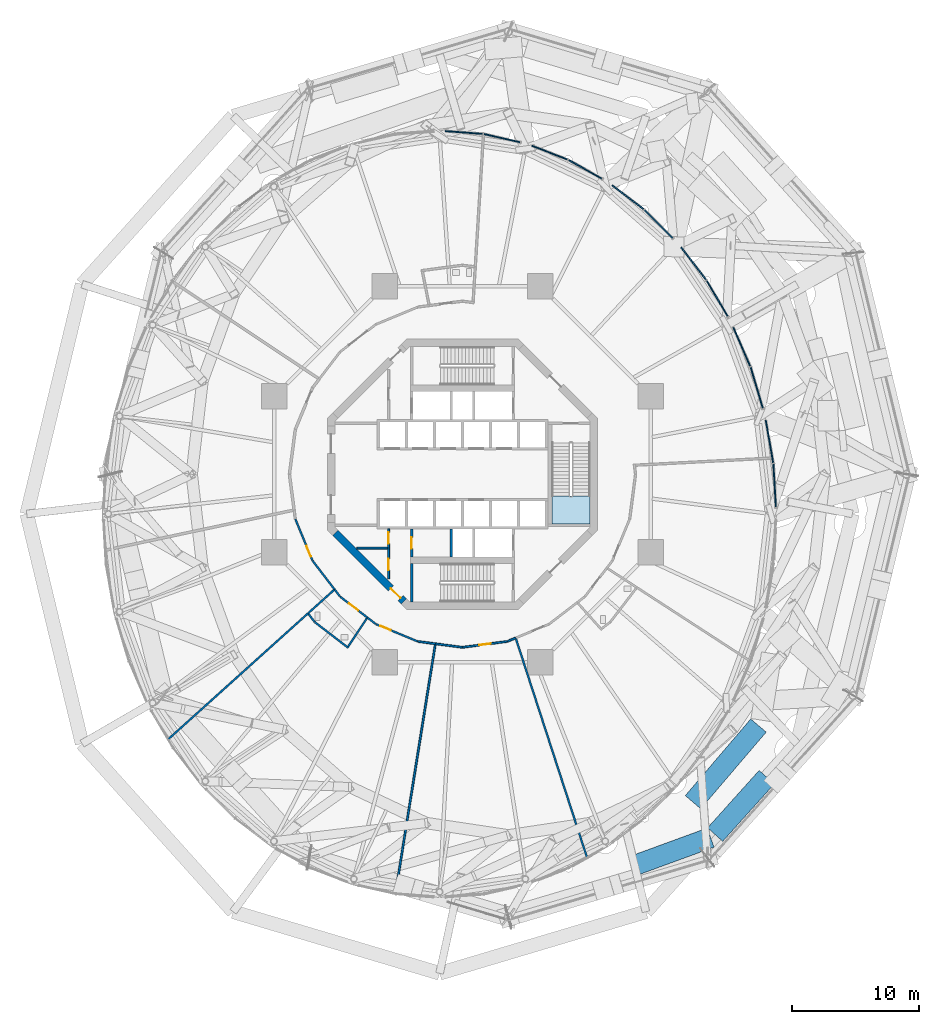
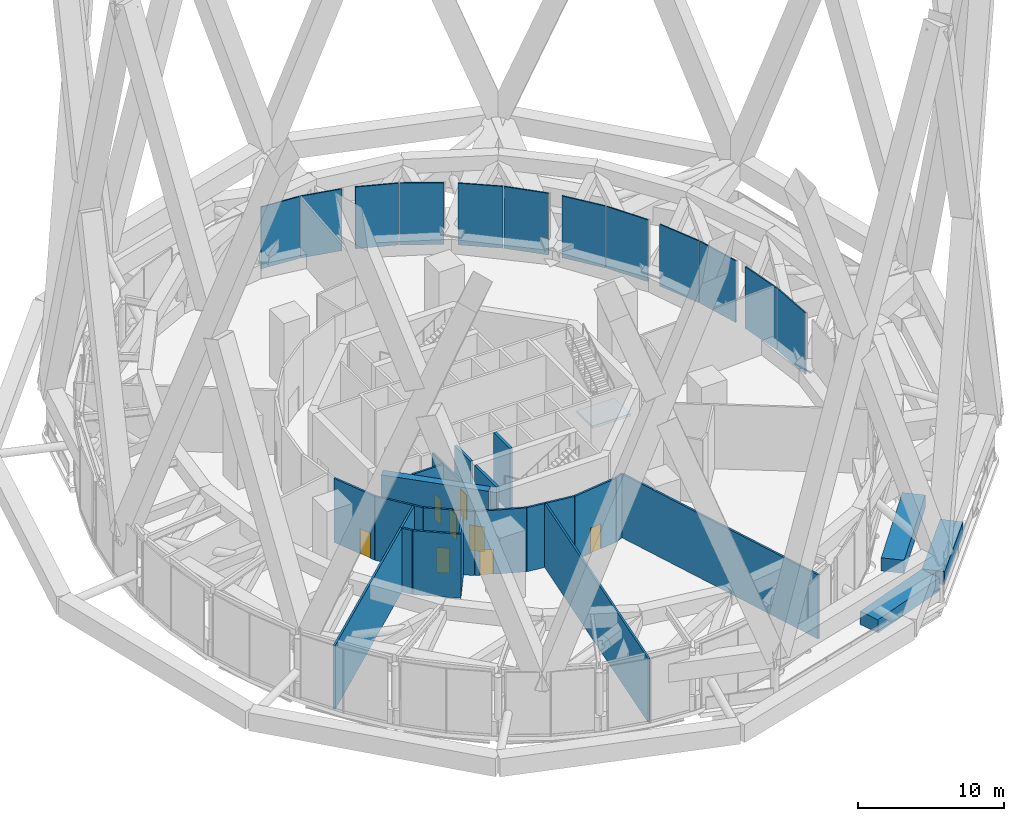
# One storey, part 37 of 49: 26 walls, 12 plates, 8 doors, 1 slab, 8 openings, 13 elements without a shape of their own.
"""IFC4 building model written with IfcOpenShell, lengths in metres."""

from ifc_helpers import new_model, si_unit, direction, frame, frame_2d, origin, origin_2d, place, context, subcontext, project, spatial, polyline, rectangle, outline, extrude, material, layer, layer_set, type_object, element, fill, aggregate, save


model = new_model("IFC4")

# Units and contexts
model_context = context("Model", 3, precision=1e-05, world=origin(), true_north=direction((0.0, 1.0)))
body_context = subcontext(model_context, "Body", "Model", "MODEL_VIEW")
ifc_project = project(units=[si_unit("LENGTHUNIT", "METRE"), si_unit("AREAUNIT", "SQUARE_METRE"), si_unit("VOLUMEUNIT", "CUBIC_METRE"), si_unit("PLANEANGLEUNIT", "RADIAN"), si_unit("MASSUNIT", "GRAM", prefix="KILO")], contexts=[model_context])

# Site, building, storey
site_placement = place(None, origin())
site = spatial("IfcSite", under=ifc_project, at=site_placement, CompositionType="ELEMENT")
building_placement = place(site_placement, origin())
building = spatial("IfcBuilding", under=site, at=building_placement, Name="Nagisa Residences", CompositionType="ELEMENT")
storey_placement = place(building_placement, frame((0.0, 0.0, 160.300048828125)))
storey = spatial("IfcBuildingStorey", under=building, at=storey_placement, Name="L40", CompositionType="ELEMENT", Elevation=160.300048828125)

# Curtain wall, plate
ifc_material_1 = material(Name="Aluminium curtain wall system", Category="aluminium")
ifc_layer_1 = layer(ifc_material_1, 0.159912109375)
ifc_layer_set_1 = layer_set([ifc_layer_1], Name="CW2 CURTAIN WALL")
curtain_wall_type = type_object("IfcCurtainWallType", Name="CW2 CURTAIN WALL", PredefinedType="NOTDEFINED", material=ifc_layer_set_1)
curtain_wall_1_placement = place(storey_placement, origin())
curtain_wall_1 = element("IfcCurtainWall", 1, at=curtain_wall_1_placement, inside=storey, type_object=curtain_wall_type, Name="cw:CW2:L40:00", PredefinedType="NOTDEFINED")
ifc_material_2 = material(Name="Insulated metal spandrel panel")
ifc_layer_2 = layer(ifc_material_2, 0.10009765625)
ifc_layer_set_2 = layer_set([ifc_layer_2], Name="CW2 SPANDREL PANEL")
plate_type = type_object("IfcPlateType", Name="CW2 SPANDREL PANEL", PredefinedType="SHEET", material=ifc_layer_set_2)
plate_1_placement = place(storey_placement, frame((24.5263671875, -0.88720703125, 0.18017578125), z_axis=(0.0, 0.0, 1.0), x_axis=(-0.057503492216, 0.998345305184, 0.0)))
plate_1 = element("IfcPlate", 2, at=plate_1_placement, type_object=plate_type, Name="CW2 spandrel panel", PredefinedType="SHEET", context=body_context, shape_type="SweptSolid", body=[
    extrude(rectangle(XDim=3.417724609375, YDim=0.10009765625, at=origin_2d()), origin(), (0.0, 0.0, 1.0), 5.159912109375),
])
aggregate(curtain_wall_1, [plate_1])

curtain_wall_2_placement = place(storey_placement, origin())
curtain_wall_2 = element("IfcCurtainWall", 3, at=curtain_wall_2_placement, inside=storey, type_object=curtain_wall_type, Name="cw:CW2:L40:01", PredefinedType="NOTDEFINED")
plate_2_placement = place(storey_placement, frame((24.12255859375, 2.564453125, 0.18017578125), z_axis=(0.0, 0.0, 1.0), x_axis=(-0.172190868898, 0.985063604377, 0.0)))
plate_2 = element("IfcPlate", 4, at=plate_2_placement, type_object=plate_type, Name="CW2 spandrel panel", PredefinedType="SHEET", context=body_context, shape_type="SweptSolid", body=[
    extrude(rectangle(XDim=3.402587890625, YDim=0.10009765625, at=origin_2d()), origin(), (0.0, 0.0, 1.0), 5.159912109375),
])
aggregate(curtain_wall_2, [plate_2])

curtain_wall_3_placement = place(storey_placement, origin())
curtain_wall_3 = element("IfcCurtainWall", 5, at=curtain_wall_3_placement, inside=storey, type_object=curtain_wall_type, Name="cw:CW2:L40:02", PredefinedType="NOTDEFINED")
plate_3_placement = place(storey_placement, frame((23.12060546875, 6.798583984375, 0.18017578125), z_axis=(0.0, 0.0, 1.0), x_axis=(-0.285860274038, 0.958271310082, 0.0)))
plate_3 = element("IfcPlate", 6, at=plate_3_placement, type_object=plate_type, Name="CW2 spandrel panel", PredefinedType="SHEET", context=body_context, shape_type="SweptSolid", body=[
    extrude(rectangle(XDim=3.373046875, YDim=0.10009765625, at=origin_2d()), origin(), (0.0, 0.0, 1.0), 5.159912109375),
])
aggregate(curtain_wall_3, [plate_3])

curtain_wall_4_placement = place(storey_placement, origin())
curtain_wall_4 = element("IfcCurtainWall", 7, at=curtain_wall_4_placement, inside=storey, type_object=curtain_wall_type, Name="cw:CW2:L40:03", PredefinedType="NOTDEFINED")
plate_4_placement = place(storey_placement, frame((21.94775390625, 10.007080078125, 0.18017578125), z_axis=(0.0, 0.0, 1.0), x_axis=(-0.397635934147, 0.917543276295, 0.0)))
plate_4 = element("IfcPlate", 8, at=plate_4_placement, type_object=plate_type, Name="CW2 spandrel panel", PredefinedType="SHEET", context=body_context, shape_type="SweptSolid", body=[
    extrude(rectangle(XDim=3.330810546875, YDim=0.10009765625, at=origin_2d()), origin(), (0.0, 0.0, 1.0), 5.159912109375),
])
aggregate(curtain_wall_4, [plate_4])

curtain_wall_5_placement = place(storey_placement, origin())
curtain_wall_5 = element("IfcCurtainWall", 9, at=curtain_wall_5_placement, inside=storey, type_object=curtain_wall_type, Name="cw:CW2:L40:04", PredefinedType="NOTDEFINED")
plate_5_placement = place(storey_placement, frame((20.0126953125, 13.809814453125, 0.18017578125), z_axis=(0.0, 0.0, 1.0), x_axis=(-0.506348567002, 0.862328898214, 0.0)))
plate_5 = element("IfcPlate", 10, at=plate_5_placement, type_object=plate_type, Name="CW2 spandrel panel", PredefinedType="SHEET", context=body_context, shape_type="SweptSolid", body=[
    extrude(rectangle(XDim=3.2783203125, YDim=0.10009765625, at=origin_2d()), origin(), (0.0, 0.0, 1.0), 5.159912109375),
])
aggregate(curtain_wall_5, [plate_5])

curtain_wall_6_placement = place(storey_placement, origin())
curtain_wall_6 = element("IfcCurtainWall", 11, at=curtain_wall_6_placement, inside=storey, type_object=curtain_wall_type, Name="cw:CW2:L40:05", PredefinedType="NOTDEFINED")
plate_6_placement = place(storey_placement, frame((18.156982421875, 16.55322265625, 0.18017578125), z_axis=(0.0, 0.0, 1.0), x_axis=(-0.610429828235, 0.792070340816, 0.0)))
plate_6 = element("IfcPlate", 12, at=plate_6_placement, type_object=plate_type, Name="CW2 spandrel panel", PredefinedType="SHEET", context=body_context, shape_type="SweptSolid", body=[
    extrude(rectangle(XDim=3.218994140625, YDim=0.10009765625, at=origin_2d()), origin(), (0.0, 0.0, 1.0), 5.159912109375),
])
aggregate(curtain_wall_6, [plate_6])

curtain_wall_7_placement = place(storey_placement, origin())
curtain_wall_7 = element("IfcCurtainWall", 13, at=curtain_wall_7_placement, inside=storey, type_object=curtain_wall_type, Name="cw:CW2:L40:06", PredefinedType="NOTDEFINED")
plate_7_placement = place(storey_placement, frame((15.414306640625, 19.666015625, 0.18017578125), z_axis=(0.0, 0.0, 1.0), x_axis=(-0.707835924016, 0.706376885714, 0.0)))
plate_7 = element("IfcPlate", 14, at=plate_7_placement, type_object=plate_type, Name="CW2 spandrel panel", PredefinedType="SHEET", context=body_context, shape_type="SweptSolid", body=[
    extrude(rectangle(XDim=3.15673828125, YDim=0.10009765625, at=origin_2d()), origin(), (0.0, 0.0, 1.0), 5.159912109375),
])
aggregate(curtain_wall_7, [plate_7])

curtain_wall_8_placement = place(storey_placement, origin())
curtain_wall_8 = element("IfcCurtainWall", 15, at=curtain_wall_8_placement, inside=storey, type_object=curtain_wall_type, Name="cw:CW2:L40:07", PredefinedType="NOTDEFINED")
plate_8_placement = place(storey_placement, frame((13.00927734375, 21.759033203125, 0.18017578125), z_axis=(0.0, 0.0, 1.0), x_axis=(-0.79603132756, 0.605255421737, 0.0)))
plate_8 = element("IfcPlate", 16, at=plate_8_placement, type_object=plate_type, Name="CW2 spandrel panel", PredefinedType="SHEET", context=body_context, shape_type="SweptSolid", body=[
    extrude(rectangle(XDim=3.095458984375, YDim=0.10009765625, at=origin_2d()), origin(), (0.0, 0.0, 1.0), 5.159912109375),
])
aggregate(curtain_wall_8, [plate_8])

curtain_wall_9_placement = place(storey_placement, origin())
curtain_wall_9 = element("IfcCurtainWall", 17, at=curtain_wall_9_placement, inside=storey, type_object=curtain_wall_type, Name="cw:CW2:L40:08", PredefinedType="NOTDEFINED")
plate_9_placement = place(storey_placement, frame((9.640869140625, 23.96533203125, 0.18017578125), z_axis=(0.0, 0.0, 1.0), x_axis=(-0.872072377523, 0.489376918501, 0.0)))
plate_9 = element("IfcPlate", 18, at=plate_9_placement, type_object=plate_type, Name="CW2 spandrel panel", PredefinedType="SHEET", context=body_context, shape_type="SweptSolid", body=[
    extrude(rectangle(XDim=3.03955078125, YDim=0.10009765625, at=origin_2d()), origin(), (0.0, 0.0, 1.0), 5.159912109375),
])
aggregate(curtain_wall_9, [plate_9])

curtain_wall_10_placement = place(storey_placement, origin())
curtain_wall_10 = element("IfcCurtainWall", 19, at=curtain_wall_10_placement, inside=storey, type_object=curtain_wall_type, Name="cw:CW2:L40:09", PredefinedType="NOTDEFINED")
plate_10_placement = place(storey_placement, frame((6.85498046875, 25.2724609375, 0.18017578125), z_axis=(0.0, 0.0, 1.0), x_axis=(-0.932825759707, 0.360327770268, 0.0)))
plate_10 = element("IfcPlate", 20, at=plate_10_placement, type_object=plate_type, Name="CW2 spandrel panel", PredefinedType="SHEET", context=body_context, shape_type="SweptSolid", body=[
    extrude(rectangle(XDim=2.993408203125, YDim=0.10009765625, at=origin_2d()), origin(), (0.0, 0.0, 1.0), 5.159912109375),
])
aggregate(curtain_wall_10, [plate_10])

curtain_wall_11_placement = place(storey_placement, origin())
curtain_wall_11 = element("IfcCurtainWall", 21, at=curtain_wall_11_placement, inside=storey, type_object=curtain_wall_type, Name="cw:CW2:L40:10", PredefinedType="NOTDEFINED")
plate_11_placement = place(storey_placement, frame((3.089599609375, 26.414306640625, 0.18017578125), z_axis=(0.0, 0.0, 1.0), x_axis=(-0.975327274089, 0.2207639201, 0.0)))
plate_11 = element("IfcPlate", 22, at=plate_11_placement, type_object=plate_type, Name="CW2 spandrel panel", PredefinedType="SHEET", context=body_context, shape_type="SweptSolid", body=[
    extrude(rectangle(XDim=2.96044921875, YDim=0.10009765625, at=origin_2d()), origin(), (0.0, 0.0, 1.0), 5.159912109375),
])
aggregate(curtain_wall_11, [plate_11])

curtain_wall_12_placement = place(storey_placement, origin())
curtain_wall_12 = element("IfcCurtainWall", 23, at=curtain_wall_12_placement, inside=storey, type_object=curtain_wall_type, Name="cw:CW2:L40:11", PredefinedType="NOTDEFINED")
plate_12_placement = place(storey_placement, frame((0.1103515625, 26.8544921875, 0.18017578125), z_axis=(0.0, 0.0, 1.0), x_axis=(-0.997230168512, 0.074377355493, 0.0)))
plate_12 = element("IfcPlate", 24, at=plate_12_placement, type_object=plate_type, Name="CW2 spandrel panel", PredefinedType="SHEET", context=body_context, shape_type="SweptSolid", body=[
    extrude(rectangle(XDim=2.943115234375, YDim=0.10009765625, at=origin_2d()), origin(), (0.0, 0.0, 1.0), 5.159912109375),
])
aggregate(curtain_wall_12, [plate_12])

# Stair, slab
ifc_material_3 = material(Name="Concrete C60", Category="concrete")
stair_type = type_object("IfcStairType", Name="Exit stair", PredefinedType="HALF_TURN_STAIR", material=ifc_material_3)
stair_placement = place(storey_placement, origin())
stair = element("IfcStair", 25, at=stair_placement, inside=storey, type_object=stair_type, Name="L40 Exit stair E", PredefinedType="HALF_TURN_STAIR")
ifc_material_4 = material(Name="Concrete C60", Category="concrete")
ifc_layer_3 = layer(ifc_material_4, 0.199951171875)
ifc_layer_set_3 = layer_set([ifc_layer_3], Name="Stair landing")
slab_type = type_object("IfcSlabType", Name="Stair landing", PredefinedType="LANDING", material=ifc_layer_set_3)
slab_placement = place(storey_placement, frame((0.0, 0.0, 2.599853515625)))
slab = element("IfcSlab", 26, at=slab_placement, type_object=slab_type, Name="ST-E landing 1", PredefinedType="LANDING", context=body_context, shape_type="SweptSolid", body=[
    extrude(outline(polyline([(7.024658203125, -1.72509765625), (7.024658203125, -3.89990234375), (10.024658203125, -3.89990234375), (10.024658203125, -1.72509765625), (7.024658203125, -1.72509765625)])), origin(), (0.0, 0.0, 1.0), 0.2001953125),
])
aggregate(stair, [slab])

# Wall, openings, doors
ifc_material_5 = material(Name="Gypsum board on steel studs", Category="steel")
ifc_layer_4 = layer(ifc_material_5, 0.14990234375)
ifc_layer_set_4 = layer_set([ifc_layer_4], Name="Core partition 150")
wall_type_1 = type_object("IfcWallType", Name="Core partition 150", PredefinedType="PARTITIONING", material=ifc_layer_set_4)
wall_1_placement = place(storey_placement, frame((-5.800048828125, -8.22705078125, 0.0), z_axis=(0.0, 0.0, 1.0), x_axis=(0.0, 1.0, 0.0)))
wall_1 = element("IfcWall", 27, at=wall_1_placement, inside=storey, type_object=wall_type_1, Name="wall:L40:SWp", PredefinedType="PARTITIONING", context=body_context, shape_type="SweptSolid", body=[
    extrude(rectangle(XDim=3.927001953125, YDim=0.14990234375, at=frame_2d((1.96337890625, 0.0))), origin(), (0.0, 0.0, 1.0), 5.33984375),
])
opening_1_placement = place(wall_1_placement, frame((2.764404296875, 0.0, 0.0)))
opening_1 = element("IfcOpeningElement", 28, at=opening_1_placement, cuts=wall_1, Name="Opening L40-C17", PredefinedType="OPENING", context=body_context, shape_type="SweptSolid", body=[
    extrude(rectangle(XDim=0.89990234375, YDim=2.10009765625, at=frame_2d((0.449951171875, 1.050048828125))), frame((0.0, 0.0849609375, 0.0), z_axis=(0.0, -1.0, 0.0), x_axis=(1.0, 0.0, 0.0)), (0.0, 0.0, 1.0), 0.169921875),
])
opening_2_placement = place(wall_1_placement, frame((0.6884765625, 0.0, 0.0)))
opening_2 = element("IfcOpeningElement", 29, at=opening_2_placement, cuts=wall_1, Name="Opening L40-C18", PredefinedType="OPENING", context=body_context, shape_type="SweptSolid", body=[
    extrude(rectangle(XDim=0.89990234375, YDim=2.10009765625, at=frame_2d((0.449951171875, 1.050048828125))), frame((0.0, 0.0849609375, 0.0), z_axis=(0.0, -1.0, 0.0), x_axis=(1.0, 0.0, 0.0)), (0.0, 0.0, 1.0), 0.169921875),
])
ifc_material_6 = material(Name="Steel fire door", Category="steel")
door_type_1 = type_object("IfcDoorType", Name="Fire door EI30 900x2100 single swing", OperationType="NOTDEFINED", PredefinedType="DOOR", material=ifc_material_6)
door_1_placement = place(opening_1_placement, origin())
door_1 = element("IfcDoor", 30, at=door_1_placement, inside=storey, type_object=door_type_1, Name="Janitor door L40", OperationType="SINGLE_SWING_LEFT", OverallHeight=2.10009765625, OverallWidth=0.89990234375, PredefinedType="DOOR", context=body_context, shape_type="SweptSolid", body=[
    extrude(rectangle(XDim=0.89990234375, YDim=2.10009765625, at=frame_2d((0.449951171875, 1.050048828125))), frame((0.0, 0.02490234375, 0.0), z_axis=(0.0, -1.0, 0.0), x_axis=(1.0, 0.0, 0.0)), (0.0, 0.0, 1.0), 0.050048828125),
])
fill(opening_1, door_1)
door_2_placement = place(opening_2_placement, origin())
door_2 = element("IfcDoor", 31, at=door_2_placement, inside=storey, type_object=door_type_1, Name="Electrical room door L40", OperationType="SINGLE_SWING_LEFT", OverallHeight=2.10009765625, OverallWidth=0.89990234375, PredefinedType="DOOR", context=body_context, shape_type="SweptSolid", body=[
    extrude(rectangle(XDim=0.89990234375, YDim=2.10009765625, at=frame_2d((0.449951171875, 1.050048828125))), frame((0.0, 0.02490234375, 0.0), z_axis=(0.0, -1.0, 0.0), x_axis=(1.0, 0.0, 0.0)), (0.0, 0.0, 1.0), 0.050048828125),
])
fill(opening_2, door_2)

# Wall
wall_2_placement = place(storey_placement, frame((-8.301025390625, -5.800048828125, 0.0), z_axis=(0.0, 0.0, 1.0), x_axis=(1.0, 0.0, 0.0)))
element("IfcWall", 32, at=wall_2_placement, inside=storey, type_object=wall_type_1, Name="wall:L40:SWq", PredefinedType="PARTITIONING", context=body_context, shape_type="SweptSolid", body=[
    extrude(rectangle(XDim=2.426025390625, YDim=0.14990234375, at=frame_2d((1.212890625, 0.0))), origin(), (0.0, 0.0, 1.0), 5.33984375),
])

# Wall, opening, door
ifc_material_7 = material(Name="Concrete C60", Category="concrete")
ifc_layer_5 = layer(ifc_material_7, 0.60009765625)
ifc_layer_set_5 = layer_set([ifc_layer_5], Name="Core shear wall 600")
wall_type_2 = type_object("IfcWallType", Name="Core shear wall 600", PredefinedType="SHEAR", material=ifc_layer_set_5)
wall_3_placement = place(storey_placement, frame((-9.98828125, -4.613037109375, 0.0), z_axis=(0.0, 0.0, 1.0), x_axis=(0.707106781187, -0.707106781187, 0.0)))
wall_3 = element("IfcWall", 33, at=wall_3_placement, inside=storey, type_object=wall_type_2, Name="wall:L40:core:flat5", PredefinedType="SHEAR", context=body_context, shape_type="SweptSolid", body=[
    extrude(rectangle(XDim=7.601806640625, YDim=0.60009765625, at=frame_2d((3.80078125, 0.0))), origin(), (0.0, 0.0, 1.0), 5.33984375),
])
opening_3_placement = place(wall_3_placement, frame((6.15087890625, 0.0, 0.0)))
opening_3 = element("IfcOpeningElement", 34, at=opening_3_placement, cuts=wall_3, Name="Opening L40-C25", PredefinedType="OPENING", context=body_context, shape_type="SweptSolid", body=[
    extrude(rectangle(XDim=1.10009765625, YDim=2.10009765625, at=frame_2d((0.550048828125, 1.050048828125))), frame((0.0, 0.31005859375, 0.0), z_axis=(0.0, -1.0, 0.0), x_axis=(1.0, 0.0, 0.0)), (0.0, 0.0, 1.0), 0.6201171875),
])
ifc_material_8 = material(Name="Steel fire door", Category="steel")
door_type_2 = type_object("IfcDoorType", Name="Fire door EI60 1100x2100 single swing", OperationType="NOTDEFINED", PredefinedType="DOOR", material=ifc_material_8)
door_3_placement = place(opening_3_placement, origin())
door_3 = element("IfcDoor", 35, at=door_3_placement, inside=storey, type_object=door_type_2, Name="Housekeeping lobby door L40", OperationType="SINGLE_SWING_LEFT", OverallHeight=2.10009765625, OverallWidth=1.10009765625, PredefinedType="DOOR", context=body_context, shape_type="SweptSolid", body=[
    extrude(rectangle(XDim=1.10009765625, YDim=2.10009765625, at=frame_2d((0.550048828125, 1.050048828125))), frame((0.0, 0.02490234375, 0.0), z_axis=(0.0, -1.0, 0.0), x_axis=(1.0, 0.0, 0.0)), (0.0, 0.0, 1.0), 0.050048828125),
])
fill(opening_3, door_3)

ifc_material_9 = material(Name="Concrete C60", Category="concrete")
ifc_layer_6 = layer(ifc_material_9, 0.199951171875)
ifc_layer_set_6 = layer_set([ifc_layer_6], Name="Lift shaft wall 200")
wall_type_3 = type_object("IfcWallType", Name="Lift shaft wall 200", PredefinedType="SOLIDWALL", material=ifc_layer_set_6)
wall_4_placement = place(storey_placement, frame((-4.0, -6.5, 0.0), z_axis=(0.0, 0.0, 1.0), x_axis=(0.0, 1.0, 0.0)))
wall_4 = element("IfcWall", 36, at=wall_4_placement, inside=storey, type_object=wall_type_3, Name="wall:L40:Sb4", PredefinedType="SOLIDWALL", context=body_context, shape_type="SweptSolid", body=[
    extrude(rectangle(XDim=2.199951171875, YDim=0.199951171875, at=frame_2d((1.10009765625, 0.0))), origin(), (0.0, 0.0, 1.0), 5.33984375),
])
opening_4_placement = place(wall_4_placement, frame((0.64990234375, 0.0, 0.0)))
opening_4 = element("IfcOpeningElement", 37, at=opening_4_placement, cuts=wall_4, Name="Opening L40-C19", PredefinedType="OPENING", context=body_context, shape_type="SweptSolid", body=[
    extrude(rectangle(XDim=0.89990234375, YDim=2.10009765625, at=frame_2d((0.449951171875, 1.050048828125))), frame((0.0, 0.10986328125, 0.0), z_axis=(0.0, -1.0, 0.0), x_axis=(1.0, 0.0, 0.0)), (0.0, 0.0, 1.0), 0.219970703125),
])
door_4_placement = place(opening_4_placement, frame((0.89990234375, 0.0, 0.0), x_axis=(-1.0, 0.0, 0.0)))
door_4 = element("IfcDoor", 38, at=door_4_placement, inside=storey, type_object=door_type_1, Name="Refuse room door L40", OperationType="SINGLE_SWING_RIGHT", OverallHeight=2.10009765625, OverallWidth=0.89990234375, PredefinedType="DOOR", context=body_context, shape_type="SweptSolid", body=[
    extrude(rectangle(XDim=0.89990234375, YDim=2.10009765625, at=frame_2d((0.449951171875, 1.050048828125))), frame((0.0, 0.02490234375, 0.0), z_axis=(0.0, -1.0, 0.0), x_axis=(1.0, 0.0, 0.0)), (0.0, 0.0, 1.0), 0.050048828125),
])
fill(opening_4, door_4)

# Walls
wall_5_placement = place(storey_placement, frame((-0.89990234375, -6.5, 0.0), z_axis=(0.0, 0.0, 1.0), x_axis=(0.0, 1.0, 0.0)))
element("IfcWall", 39, at=wall_5_placement, inside=storey, type_object=wall_type_3, Name="wall:L40:Sb1", PredefinedType="SOLIDWALL", context=body_context, shape_type="SweptSolid", body=[
    extrude(rectangle(XDim=2.199951171875, YDim=0.199951171875, at=frame_2d((1.10009765625, 0.0))), origin(), (0.0, 0.0, 1.0), 5.33984375),
])
ifc_material_10 = material(Name="Precast concrete C30/37", Category="concrete")
ifc_layer_7 = layer(ifc_material_10, 1.60009765625)
ifc_layer_set_7 = layer_set([ifc_layer_7], Name="PLANTER")
wall_type_4 = type_object("IfcWallType", Name="PLANTER", PredefinedType="SOLIDWALL", material=ifc_layer_set_7)
wall_6_placement = place(storey_placement, frame((18.113525390625, -25.77001953125, 0.0), z_axis=(0.0, 0.0, 1.0), x_axis=(0.649270204453, 0.76055782266, 0.0)))
element("IfcWall", 40, at=wall_6_placement, inside=storey, type_object=wall_type_4, Name="planter:L40:deck007", PredefinedType="SOLIDWALL", context=body_context, shape_type="SweptSolid", body=[
    extrude(rectangle(XDim=7.923828125, YDim=1.60009765625, at=frame_2d((3.9619140625, 0.0))), origin(), (0.0, 0.0, 1.0), 1.099853515625),
])
wall_7_placement = place(storey_placement, frame((19.498291015625, -28.551025390625, 0.0), z_axis=(0.0, 0.0, 1.0), x_axis=(-0.939155395948, -0.343492565074, 0.0)))
element("IfcWall", 41, at=wall_7_placement, inside=storey, type_object=wall_type_4, Name="planter:L40:deck008", PredefinedType="SOLIDWALL", context=body_context, shape_type="SweptSolid", body=[
    extrude(rectangle(XDim=6.552490234375, YDim=1.60009765625, at=frame_2d((3.2763671875, 0.0))), origin(), (0.0, 0.0, 1.0), 1.099853515625),
])
wall_8_placement = place(storey_placement, frame((23.90771484375, -23.8017578125, 0.0), z_axis=(0.0, 0.0, 1.0), x_axis=(-0.668693462174, -0.743538199184, 0.0)))
element("IfcWall", 42, at=wall_8_placement, inside=storey, type_object=wall_type_4, Name="planter:L40:deck010", PredefinedType="SOLIDWALL", context=body_context, shape_type="SweptSolid", body=[
    extrude(rectangle(XDim=6.067138671875, YDim=1.60009765625, at=frame_2d((3.03369140625, 0.0))), origin(), (0.0, 0.0, 1.0), 1.099853515625),
])
ifc_material_11 = material(Name="Gypsum board on steel studs", Category="steel")
ifc_layer_8 = layer(ifc_material_11, 0.14990234375)
ifc_layer_set_8 = layer_set([ifc_layer_8], Name="Room partition EI60 150")
wall_type_5 = type_object("IfcWallType", Name="Room partition EI60 150", PredefinedType="PARTITIONING", material=ifc_layer_set_8)
wall_9_placement = place(storey_placement, frame((-12.138427734375, -10.9296875, 0.0), z_axis=(0.0, 0.0, 1.0), x_axis=(-0.743151323341, -0.66912338968, 0.0)))
element("IfcWall", 43, at=wall_9_placement, inside=storey, type_object=wall_type_5, Name="wall:L40:am001", PredefinedType="PARTITIONING", context=body_context, shape_type="SweptSolid", body=[
    extrude(rectangle(XDim=14.791259765625, YDim=0.14990234375, at=frame_2d((7.3955078125, 0.0))), origin(), (0.0, 0.0, 1.0), 5.33984375),
])

# Wall, opening, door
wall_10_placement = place(storey_placement, frame((-11.782470703125, -6.7890625, 0.0), z_axis=(0.0, 0.0, 1.0), x_axis=(-0.382677866108, 0.923881838111, 0.0)))
wall_10 = element("IfcWall", 44, at=wall_10_placement, inside=storey, type_object=wall_type_5, Name="wall:L40:am002", PredefinedType="PARTITIONING", context=body_context, shape_type="SweptSolid", body=[
    extrude(rectangle(XDim=3.52685546875, YDim=0.14990234375, at=frame_2d((1.763427734375, 0.0))), origin(), (0.0, 0.0, 1.0), 5.33984375),
])
opening_5_placement = place(wall_10_placement, frame((0.345703125, 0.0, 0.0)))
opening_5 = element("IfcOpeningElement", 45, at=opening_5_placement, cuts=wall_10, Name="Opening L40-A04", PredefinedType="OPENING", context=body_context, shape_type="SweptSolid", body=[
    extrude(rectangle(XDim=0.89990234375, YDim=2.10009765625, at=frame_2d((0.449951171875, 1.050048828125))), frame((0.0, 0.0849609375, 0.0), z_axis=(0.0, -1.0, 0.0), x_axis=(1.0, 0.0, 0.0)), (0.0, 0.0, 1.0), 0.169921875),
])
door_5_placement = place(opening_5_placement, origin())
door_5 = element("IfcDoor", 46, at=door_5_placement, inside=storey, type_object=door_type_1, Name="Private dining room door", OperationType="SINGLE_SWING_RIGHT", OverallHeight=2.10009765625, OverallWidth=0.89990234375, PredefinedType="DOOR", context=body_context, shape_type="SweptSolid", body=[
    extrude(rectangle(XDim=0.89990234375, YDim=2.10009765625, at=frame_2d((0.449951171875, 1.050048828125))), frame((0.0, 0.02490234375, 0.0), z_axis=(0.0, -1.0, 0.0), x_axis=(1.0, 0.0, 0.0)), (0.0, 0.0, 1.0), 0.050048828125),
])
fill(opening_5, door_5)

# Walls
wall_11_placement = place(storey_placement, frame((-11.620849609375, -11.604248046875, 0.0), z_axis=(0.0, 0.0, 1.0), x_axis=(-0.608781909099, 0.793337624945, 0.0)))
element("IfcWall", 47, at=wall_11_placement, inside=storey, type_object=wall_type_5, Name="wall:L40:am003", PredefinedType="PARTITIONING", context=body_context, shape_type="SweptSolid", body=[
    extrude(rectangle(XDim=0.775146484375, YDim=0.14990234375, at=frame_2d((0.3876953125, 0.0))), origin(), (0.0, 0.0, 1.0), 5.33984375),
])
wall_12_placement = place(storey_placement, frame((-10.107177734375, -9.1005859375, 0.0), z_axis=(0.0, 0.0, 1.0), x_axis=(-0.743116473198, -0.669162093414, 0.0)))
element("IfcWall", 48, at=wall_12_placement, inside=storey, type_object=wall_type_5, Name="wall:L40:am005", PredefinedType="PARTITIONING", context=body_context, shape_type="SweptSolid", body=[
    extrude(rectangle(XDim=2.7333984375, YDim=0.14990234375, at=frame_2d((1.36669921875, 0.0))), origin(), (0.0, 0.0, 1.0), 5.33984375),
])
wall_13_placement = place(storey_placement, frame((-10.05126953125, -9.05029296875, 0.0), z_axis=(0.0, 0.0, 1.0), x_axis=(-0.608745411834, 0.793365630445, 0.0)))
element("IfcWall", 49, at=wall_13_placement, inside=storey, type_object=wall_type_5, Name="wall:L40:am006", PredefinedType="PARTITIONING", context=body_context, shape_type="SweptSolid", body=[
    extrude(rectangle(XDim=2.82470703125, YDim=0.14990234375, at=frame_2d((1.412353515625, 0.0))), origin(), (0.0, 0.0, 1.0), 5.33984375),
])
wall_14_placement = place(storey_placement, frame((-9.6240234375, -9.607177734375, 0.0), z_axis=(0.0, 0.0, 1.0), x_axis=(-0.608701690893, 0.793399175387, 0.0)))
element("IfcWall", 50, at=wall_14_placement, inside=storey, type_object=wall_type_5, Name="wall:L40:am007", PredefinedType="PARTITIONING", context=body_context, shape_type="SweptSolid", body=[
    extrude(rectangle(XDim=0.701904296875, YDim=0.14990234375, at=frame_2d((0.35107421875, 0.0))), origin(), (0.0, 0.0, 1.0), 5.33984375),
])
wall_15_placement = place(storey_placement, frame((-8.96826171875, -13.6435546875, 0.0), z_axis=(0.0, 0.0, 1.0), x_axis=(-0.79334728927, 0.608769314772, 0.0)))
element("IfcWall", 51, at=wall_15_placement, inside=storey, type_object=wall_type_5, Name="wall:L40:am009", PredefinedType="PARTITIONING", context=body_context, shape_type="SweptSolid", body=[
    extrude(rectangle(XDim=3.322509765625, YDim=0.14990234375, at=frame_2d((1.6611328125, 0.0))), origin(), (0.0, 0.0, 1.0), 5.33984375),
])

# Wall, opening, door
wall_16_placement = place(storey_placement, frame((-7.4755859375, -11.259521484375, 0.0), z_axis=(0.0, 0.0, 1.0), x_axis=(-0.793376684251, 0.60873100536, 0.0)))
wall_16 = element("IfcWall", 52, at=wall_16_placement, inside=storey, type_object=wall_type_5, Name="wall:L40:am010", PredefinedType="PARTITIONING", context=body_context, shape_type="SweptSolid", body=[
    extrude(rectangle(XDim=2.686767578125, YDim=0.14990234375, at=frame_2d((1.34326171875, 0.0))), origin(), (0.0, 0.0, 1.0), 5.33984375),
])
opening_6_placement = place(wall_16_placement, frame((0.8994140625, 0.0, 0.0)))
opening_6 = element("IfcOpeningElement", 53, at=opening_6_placement, cuts=wall_16, Name="Opening L40-A05", PredefinedType="OPENING", context=body_context, shape_type="SweptSolid", body=[
    extrude(rectangle(XDim=0.89990234375, YDim=2.10009765625, at=frame_2d((0.449951171875, 1.050048828125))), frame((0.0, 0.0849609375, 0.0), z_axis=(0.0, -1.0, 0.0), x_axis=(1.0, 0.0, 0.0)), (0.0, 0.0, 1.0), 0.169921875),
])
door_6_placement = place(opening_6_placement, origin())
door_6 = element("IfcDoor", 54, at=door_6_placement, inside=storey, type_object=door_type_1, Name="Women's WC door", OperationType="SINGLE_SWING_LEFT", OverallHeight=2.10009765625, OverallWidth=0.89990234375, PredefinedType="DOOR", context=body_context, shape_type="SweptSolid", body=[
    extrude(rectangle(XDim=0.89990234375, YDim=2.10009765625, at=frame_2d((0.449951171875, 1.050048828125))), frame((0.0, 0.02490234375, 0.0), z_axis=(0.0, -1.0, 0.0), x_axis=(1.0, 0.0, 0.0)), (0.0, 0.0, 1.0), 0.050048828125),
])
fill(opening_6, door_6)

# Walls
wall_17_placement = place(storey_placement, frame((-7.51708984375, -11.322265625, 0.0), z_axis=(0.0, 0.0, 1.0), x_axis=(-0.553129626005, -0.833095202744, 0.0)))
element("IfcWall", 55, at=wall_17_placement, inside=storey, type_object=wall_type_5, Name="wall:L40:am011", PredefinedType="PARTITIONING", context=body_context, shape_type="SweptSolid", body=[
    extrude(rectangle(XDim=2.65625, YDim=0.14990234375, at=frame_2d((1.328125, 0.0))), origin(), (0.0, 0.0, 1.0), 5.33984375),
])
wall_18_placement = place(storey_placement, frame((-6.809326171875, -11.770751953125, 0.0), z_axis=(0.0, 0.0, 1.0), x_axis=(-0.793358303575, 0.608754960677, 0.0)))
element("IfcWall", 56, at=wall_18_placement, inside=storey, type_object=wall_type_5, Name="wall:L40:am012", PredefinedType="PARTITIONING", context=body_context, shape_type="SweptSolid", body=[
    extrude(rectangle(XDim=0.83984375, YDim=0.14990234375, at=frame_2d((0.419921875, 0.0))), origin(), (0.0, 0.0, 1.0), 5.33984375),
])

# Wall, opening, door
wall_19_placement = place(storey_placement, frame((-3.53076171875, -13.132080078125, 0.0), z_axis=(0.0, 0.0, 1.0), x_axis=(-0.923881838111, 0.382677866108, 0.0)))
wall_19 = element("IfcWall", 57, at=wall_19_placement, inside=storey, type_object=wall_type_5, Name="wall:L40:am014", PredefinedType="PARTITIONING", context=body_context, shape_type="SweptSolid", body=[
    extrude(rectangle(XDim=3.52685546875, YDim=0.14990234375, at=frame_2d((1.763427734375, 0.0))), origin(), (0.0, 0.0, 1.0), 5.33984375),
])
opening_7_placement = place(wall_19_placement, frame((2.281005859375, 0.0, 0.0)))
opening_7 = element("IfcOpeningElement", 58, at=opening_7_placement, cuts=wall_19, Name="Opening L40-A06", PredefinedType="OPENING", context=body_context, shape_type="SweptSolid", body=[
    extrude(rectangle(XDim=0.89990234375, YDim=2.10009765625, at=frame_2d((0.449951171875, 1.050048828125))), frame((0.0, 0.0849609375, 0.0), z_axis=(0.0, -1.0, 0.0), x_axis=(1.0, 0.0, 0.0)), (0.0, 0.0, 1.0), 0.169921875),
])
door_7_placement = place(opening_7_placement, frame((0.89990234375, 0.0, 0.0), x_axis=(-1.0, 0.0, 0.0)))
door_7 = element("IfcDoor", 59, at=door_7_placement, inside=storey, type_object=door_type_1, Name="Sky bar door", OperationType="SINGLE_SWING_LEFT", OverallHeight=2.10009765625, OverallWidth=0.89990234375, PredefinedType="DOOR", context=body_context, shape_type="SweptSolid", body=[
    extrude(rectangle(XDim=0.89990234375, YDim=2.10009765625, at=frame_2d((0.449951171875, 1.050048828125))), frame((0.0, 0.02490234375, 0.0), z_axis=(0.0, -1.0, 0.0), x_axis=(1.0, 0.0, 0.0)), (0.0, 0.0, 1.0), 0.050048828125),
])
fill(opening_7, door_7)

# Walls
wall_20_placement = place(storey_placement, frame((-2.1416015625, -13.393798828125, 0.0), z_axis=(0.0, 0.0, 1.0), x_axis=(-0.157896749687, -0.987455627579, 0.0)))
element("IfcWall", 60, at=wall_20_placement, inside=storey, type_object=wall_type_5, Name="wall:L40:am019", PredefinedType="PARTITIONING", context=body_context, shape_type="SweptSolid", body=[
    extrude(rectangle(XDim=19.805419921875, YDim=0.14990234375, at=frame_2d((9.90283203125, 0.0))), origin(), (0.0, 0.0, 1.0), 5.33984375),
])
wall_21_placement = place(storey_placement, frame((-2.1298828125, -13.319580078125, 0.0), z_axis=(0.0, 0.0, 1.0), x_axis=(-0.991448914516, 0.130495401857, 0.0)))
element("IfcWall", 61, at=wall_21_placement, inside=storey, type_object=wall_type_5, Name="wall:L40:am020", PredefinedType="PARTITIONING", context=body_context, shape_type="SweptSolid", body=[
    extrude(rectangle(XDim=1.39013671875, YDim=0.14990234375, at=frame_2d((0.695068359375, 0.0))), origin(), (0.0, 0.0, 1.0), 5.33984375),
])
wall_22_placement = place(storey_placement, frame((-0.01171875, -13.598388671875, 0.0), z_axis=(0.0, 0.0, 1.0), x_axis=(-0.991448071145, 0.130501809272, 0.0)))
element("IfcWall", 62, at=wall_22_placement, inside=storey, type_object=wall_type_5, Name="wall:L40:am021", PredefinedType="PARTITIONING", context=body_context, shape_type="SweptSolid", body=[
    extrude(rectangle(XDim=2.136474609375, YDim=0.14990234375, at=frame_2d((1.068359375, 0.0))), origin(), (0.0, 0.0, 1.0), 5.33984375),
])

# Wall, opening, door
wall_23_placement = place(storey_placement, frame((3.508056640625, -13.13818359375, 0.0), z_axis=(0.0, 0.0, 1.0), x_axis=(-0.991448403586, -0.130499283623, 0.0)))
wall_23 = element("IfcWall", 63, at=wall_23_placement, inside=storey, type_object=wall_type_5, Name="wall:L40:am026", PredefinedType="PARTITIONING", context=body_context, shape_type="SweptSolid", body=[
    extrude(rectangle(XDim=3.526611328125, YDim=0.14990234375, at=frame_2d((1.76318359375, 0.0))), origin(), (0.0, 0.0, 1.0), 5.33984375),
])
opening_8_placement = place(wall_23_placement, frame((1.313232421875, 0.0, 0.0)))
opening_8 = element("IfcOpeningElement", 64, at=opening_8_placement, cuts=wall_23, Name="Opening L40-A07", PredefinedType="OPENING", context=body_context, shape_type="SweptSolid", body=[
    extrude(rectangle(XDim=0.89990234375, YDim=2.10009765625, at=frame_2d((0.449951171875, 1.050048828125))), frame((0.0, 0.0849609375, 0.0), z_axis=(0.0, -1.0, 0.0), x_axis=(1.0, 0.0, 0.0)), (0.0, 0.0, 1.0), 0.169921875),
])
door_8_placement = place(opening_8_placement, origin())
door_8 = element("IfcDoor", 65, at=door_8_placement, inside=storey, type_object=door_type_1, Name="Whisky library door", OperationType="SINGLE_SWING_LEFT", OverallHeight=2.10009765625, OverallWidth=0.89990234375, PredefinedType="DOOR", context=body_context, shape_type="SweptSolid", body=[
    extrude(rectangle(XDim=0.89990234375, YDim=2.10009765625, at=frame_2d((0.449951171875, 1.050048828125))), frame((0.0, 0.02490234375, 0.0), z_axis=(0.0, -1.0, 0.0), x_axis=(1.0, 0.0, 0.0)), (0.0, 0.0, 1.0), 0.050048828125),
])
fill(opening_8, door_8)

# Walls
wall_24_placement = place(storey_placement, frame((4.1796875, -12.86328125, 0.0), z_axis=(0.0, 0.0, 1.0), x_axis=(-0.923877031545, -0.382689470177, 0.0)))
element("IfcWall", 66, at=wall_24_placement, inside=storey, type_object=wall_type_5, Name="wall:L40:am027", PredefinedType="PARTITIONING", context=body_context, shape_type="SweptSolid", body=[
    extrude(rectangle(XDim=0.702392578125, YDim=0.14990234375, at=frame_2d((0.35107421875, 0.0))), origin(), (0.0, 0.0, 1.0), 5.33984375),
])
wall_25_placement = place(storey_placement, frame((4.202880859375, -12.93505859375, 0.0), z_axis=(0.0, 0.0, 1.0), x_axis=(0.309019390558, -0.951055737725, 0.0)))
element("IfcWall", 67, at=wall_25_placement, inside=storey, type_object=wall_type_5, Name="wall:L40:am028", PredefinedType="PARTITIONING", context=body_context, shape_type="SweptSolid", body=[
    extrude(rectangle(XDim=18.0478515625, YDim=0.14990234375, at=frame_2d((9.02392578125, 0.0))), origin(), (0.0, 0.0, 1.0), 5.33984375),
])
ifc_material_12 = material(Name="Concrete C60", Category="concrete")
ifc_layer_9 = layer(ifc_material_12, 0.199951171875)
ifc_layer_set_9 = layer_set([ifc_layer_9], Name="Stair enclosure wall 200")
wall_type_6 = type_object("IfcWallType", Name="Stair enclosure wall 200", PredefinedType="SOLIDWALL", material=ifc_layer_set_9)
wall_26_placement = place(storey_placement, origin())
element("IfcWall", 68, at=wall_26_placement, inside=storey, type_object=wall_type_6, Name="wall:L40:SS_w", PredefinedType="SOLIDWALL", context=body_context, shape_type="SweptSolid", body=[
    extrude(outline(polyline([(-3.89990234375, -10.024658203125), (-4.10009765625, -10.024658203125), (-4.10009765625, -7.024658203125), (-3.89990234375, -7.024658203125), (-3.89990234375, -10.024658203125)])), origin(), (0.0, 0.0, 1.0), 5.33984375),
])

save(model, "model.ifc")
